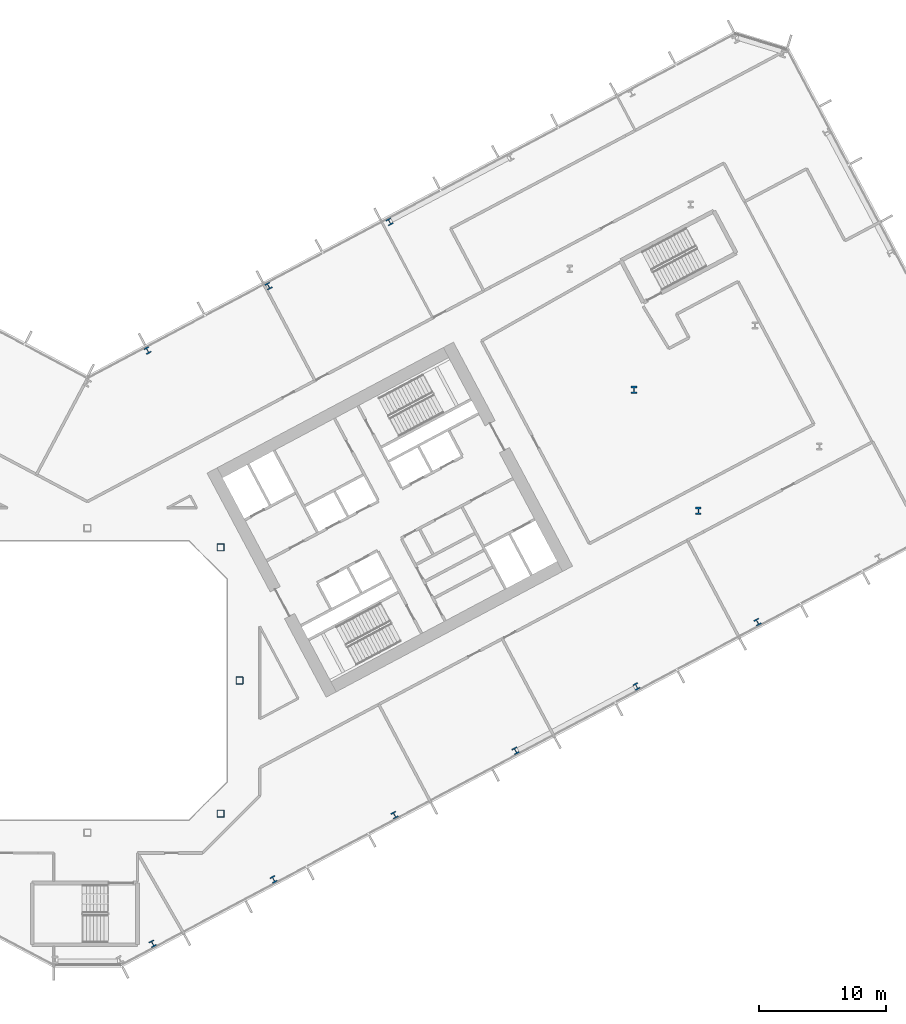
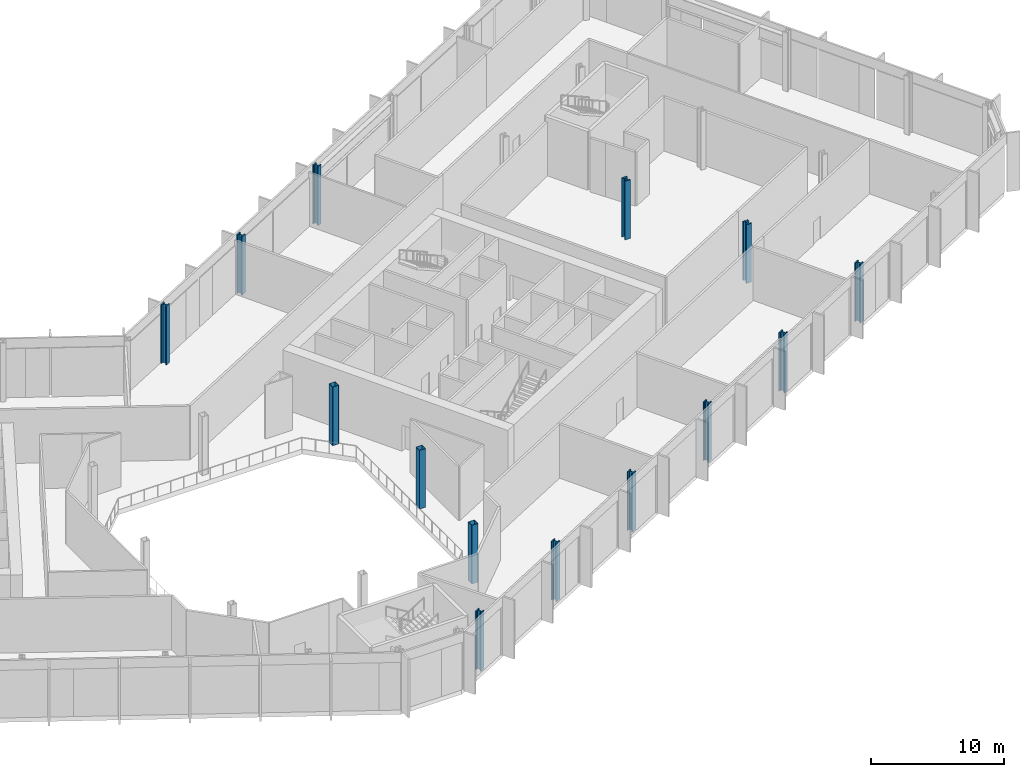
# One storey, part 3 of 31: 14 columns.
"""IFC4 building model written with IfcOpenShell, lengths in metres."""

from ifc_helpers import new_model, si_unit, direction, frame, origin, origin_2d, place, context, subcontext, project, spatial, hollow_rectangle, i_section, extrude, material, material_profile, profile_set, type_object, element, save


model = new_model("IFC4")

# Units and contexts
model_context = context("Model", 3, precision=1e-05, world=origin(), true_north=direction((0.0, 1.0)))
body_context = subcontext(model_context, "Body", "Model", "MODEL_VIEW")
ifc_project = project(units=[si_unit("LENGTHUNIT", "METRE"), si_unit("AREAUNIT", "SQUARE_METRE"), si_unit("VOLUMEUNIT", "CUBIC_METRE"), si_unit("PLANEANGLEUNIT", "RADIAN"), si_unit("MASSUNIT", "GRAM", prefix="KILO")], contexts=[model_context])

# Site, building, storey
site_placement = place(None, origin())
site = spatial("IfcSite", under=ifc_project, at=site_placement, CompositionType="ELEMENT")
building_placement = place(site_placement, origin())
building = spatial("IfcBuilding", under=site, at=building_placement, Name="Cormorant Relay Tower", CompositionType="ELEMENT")
storey_placement = place(building_placement, frame((0.0, 0.0, 50.0)))
storey = spatial("IfcBuildingStorey", under=building, at=storey_placement, Name="L09", CompositionType="ELEMENT", Elevation=50.0)

# Columns
ifc_material_1 = material(Name="Steel ASTM A1085 Grade A (Fy 345 MPa)", Category="steel")
ifc_material_profile_1 = material_profile(ifc_material_1, hollow_rectangle(XDim=0.558837890625, YDim=0.558837890625, WallThickness=0.023681640625, InnerFilletRadius=0.01171875, OuterFilletRadius=0.035400390625, at=origin_2d()), Name="HSS559x559x24")
ifc_profile_set_1 = profile_set([ifc_material_profile_1], Name="Steel ASTM A1085 Grade A (Fy 345 MPa)")
column_type_1 = type_object("IfcColumnType", Name="Column HSS559x559x24", PredefinedType="COLUMN", material=ifc_profile_set_1)
for number, where, z_axis, x_axis, name in (
    (1, (10.5, -10.5, 0.0), (0.0, 0.0, 1.0), (1.0, 0.0, 0.0), "Column L09-010"),
    (2, (12.0, 0.0, 0.0), (0.0, 0.0, 1.0), (1.0, 0.0, 0.0), "Column L09-016"),
    (3, (10.5, 10.5, 0.0), (0.0, 0.0, 1.0), (1.0, 0.0, 0.0), "Column L09-023"),
):
    element("IfcColumn", number, at=place(storey_placement, frame(where, z_axis=z_axis, x_axis=x_axis)), inside=storey, type_object=column_type_1, Name=name, PredefinedType="COLUMN", context=body_context, shape_type="SweptSolid", body=[
        extrude(hollow_rectangle(XDim=0.558837890625, YDim=0.558837890625, WallThickness=0.023681640625, InnerFilletRadius=0.01171875, OuterFilletRadius=0.035400390625, at=origin_2d()), origin(), (0.0, 0.0, 1.0), 5.39990234375),
    ])
ifc_material_2 = material(Name="Steel ASTM A992 (Fy 345 MPa)", Category="steel")
ifc_material_profile_2 = material_profile(ifc_material_2, i_section(OverallWidth=0.45458984375, OverallDepth=0.569091796875, WebThickness=0.077880859375, FlangeThickness=0.124755859375, FilletRadius=0.015380859375, at=origin_2d()), Name="W360x1086")
ifc_profile_set_2 = profile_set([ifc_material_profile_2], Name="Steel ASTM A992 (Fy 345 MPa)")
column_type_2 = type_object("IfcColumnType", Name="Column W360x1086", PredefinedType="COLUMN", material=ifc_profile_set_2)
for number, where, z_axis, x_axis, name in (
    (4, (48.157958984375, 13.3740234375, 0.0), (0.0, 0.0, 1.0), (1.0, 0.0, 0.0), "Column L09-025"),
    (5, (43.087890625, 22.909912109375, 0.0), (0.0, 0.0, 1.0), (1.0, 0.0, 0.0), "Column L09-031"),
):
    element("IfcColumn", number, at=place(storey_placement, frame(where, z_axis=z_axis, x_axis=x_axis)), inside=storey, type_object=column_type_2, Name=name, PredefinedType="COLUMN", context=body_context, shape_type="SweptSolid", body=[
        extrude(i_section(OverallWidth=0.45458984375, OverallDepth=0.569091796875, WebThickness=0.077880859375, FlangeThickness=0.124755859375, FilletRadius=0.015380859375, at=origin_2d()), origin(), (0.0, 0.0, 1.0), 5.39990234375),
    ])
ifc_material_3 = material(Name="Steel ASTM A992 (Fy 345 MPa)", Category="steel")
ifc_material_profile_3 = material_profile(ifc_material_3, i_section(OverallWidth=0.43701171875, OverallDepth=0.51318359375, WebThickness=0.060546875, FlangeThickness=0.096923828125, FilletRadius=0.015380859375, at=origin_2d()), Name="W360x818")
ifc_profile_set_3 = profile_set([ifc_material_profile_3], Name="Steel ASTM A992 (Fy 345 MPa)")
column_type_3 = type_object("IfcColumnType", Name="Column W360x818", PredefinedType="COLUMN", material=ifc_profile_set_3)
for number, where, z_axis, x_axis, name in (
    (6, (5.14599609375, -20.75390625, 0.0), (0.0, 0.0, 1.0), (0.882947592859, 0.469471562786, 0.0), "Column L09-003"),
    (7, (14.680908203125, -15.68310546875, 0.0), (0.0, 0.0, 1.0), (0.882947592859, 0.469471562786, 0.0), "Column L09-005"),
    (8, (24.217041015625, -10.613037109375, 0.0), (0.0, 0.0, 1.0), (0.882947592859, 0.469471562786, 0.0), "Column L09-008"),
    (9, (33.7529296875, -5.54296875, 0.0), (0.0, 0.0, 1.0), (0.882947592859, 0.469471562786, 0.0), "Column L09-012"),
    (10, (43.2890625, -0.471923828125, 0.0), (0.0, 0.0, 1.0), (0.882947592859, 0.469471562786, 0.0), "Column L09-014"),
    (11, (52.824951171875, 4.597900390625, 0.0), (0.0, 0.0, 1.0), (0.882947592859, 0.469471562786, 0.0), "Column L09-019"),
    (12, (4.743896484375, 26.011962890625, 0.0), (0.0, 0.0, 1.0), (-0.882947592859, -0.469471562786, 0.0), "Column L09-035"),
    (13, (14.279052734375, 31.08203125, 0.0), (0.0, 0.0, 1.0), (-0.882947592859, -0.469471562786, 0.0), "Column L09-039"),
    (14, (23.81494140625, 36.152099609375, 0.0), (0.0, 0.0, 1.0), (-0.882947592859, -0.469471562786, 0.0), "Column L09-044"),
):
    element("IfcColumn", number, at=place(storey_placement, frame(where, z_axis=z_axis, x_axis=x_axis)), inside=storey, type_object=column_type_3, Name=name, PredefinedType="COLUMN", context=body_context, shape_type="SweptSolid", body=[
        extrude(i_section(OverallWidth=0.43701171875, OverallDepth=0.51318359375, WebThickness=0.060546875, FlangeThickness=0.096923828125, FilletRadius=0.015380859375, at=origin_2d()), origin(), (0.0, 0.0, 1.0), 5.39990234375),
    ])

save(model, "model.ifc")
